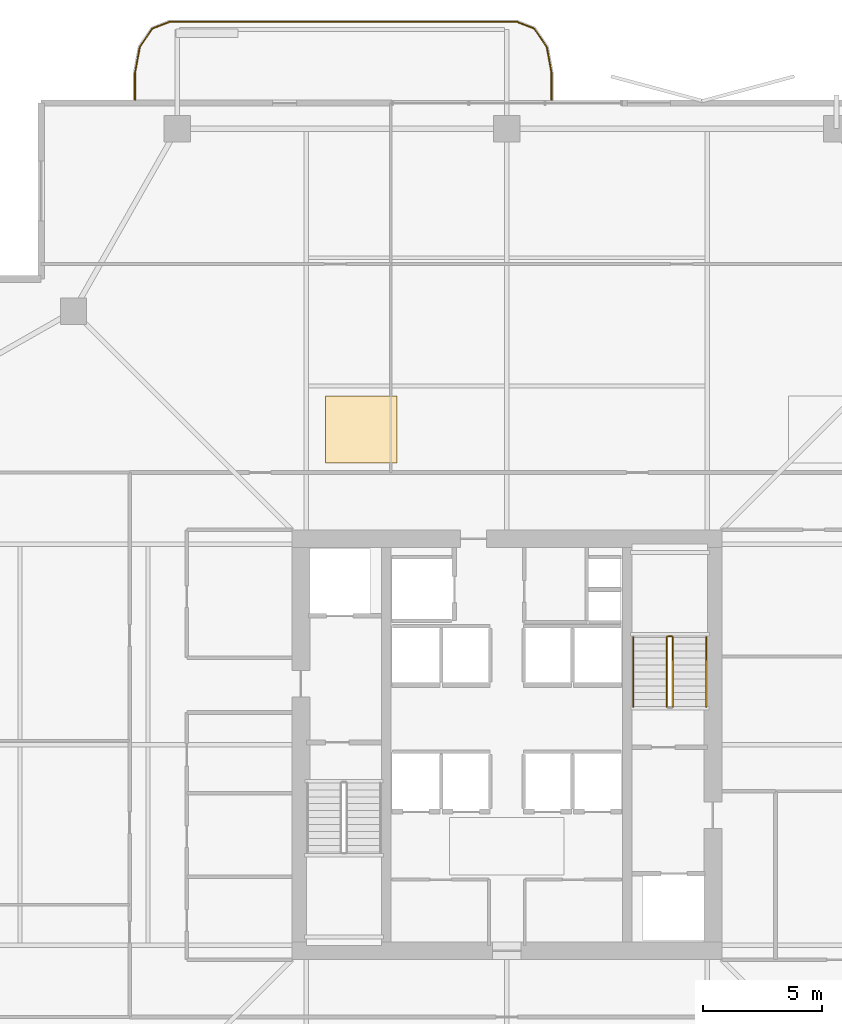
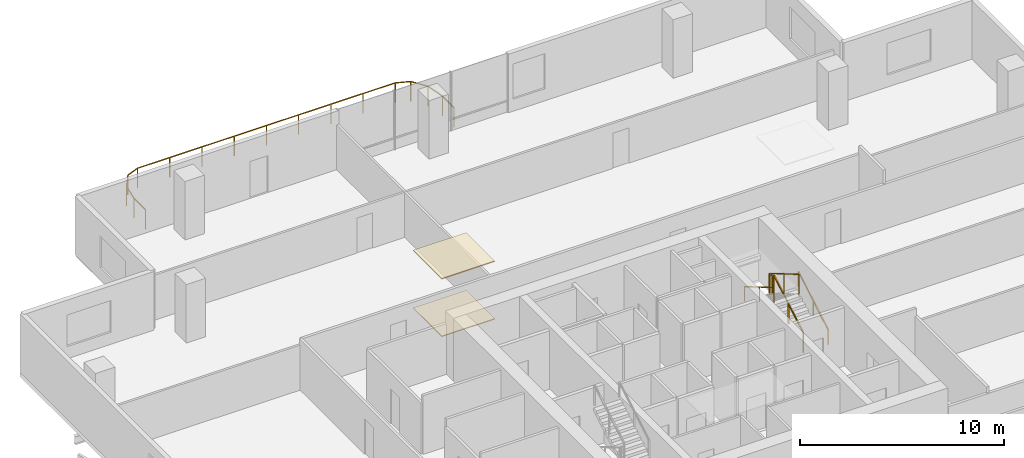
# One storey, part 23 of 24: 6 railings, 2 coverings.
"""IFC4 building model written with IfcOpenShell, lengths in metres."""

from ifc_helpers import new_model, si_unit, direction, frame, origin, origin_2d, place, context, subcontext, project, spatial, polyline, rectangle, outline, extrude, material, layer, layer_set, type_object, element, save


model = new_model("IFC4")

# Units and contexts
model_context = context("Model", 3, precision=1e-05, world=origin(), true_north=direction((0.0, 1.0)))
body_context = subcontext(model_context, "Body", "Model", "MODEL_VIEW")
ifc_project = project(units=[si_unit("LENGTHUNIT", "METRE"), si_unit("AREAUNIT", "SQUARE_METRE"), si_unit("VOLUMEUNIT", "CUBIC_METRE"), si_unit("PLANEANGLEUNIT", "RADIAN"), si_unit("MASSUNIT", "GRAM", prefix="KILO")], contexts=[model_context])

# Site, building, storey
site_placement = place(None, origin())
site = spatial("IfcSite", under=ifc_project, at=site_placement, CompositionType="ELEMENT")
building_placement = place(site_placement, origin())
building = spatial("IfcBuilding", under=site, at=building_placement, Name="Belovzor Exchange Tower", CompositionType="ELEMENT")
storey_placement = place(building_placement, frame((0.0, 0.0, 237.449951171875)))
storey = spatial("IfcBuildingStorey", under=building, at=storey_placement, Name="L59", CompositionType="ELEMENT", Elevation=237.449951171875)

# Railings
ifc_material_1 = material(Name="Stainless Steel Grade 304", Category="steel")
railing_type_1 = type_object("IfcRailingType", Name="Brushed Stainless Steel Stair Handrail 900", PredefinedType="HANDRAIL", material=ifc_material_1)
railing_1_placement = place(storey_placement, frame((37.14990234375, 30.39990234375, 0.17041015625)))
element("IfcRailing", 1, at=railing_1_placement, inside=storey, type_object=railing_type_1, Name="L59 ST-2 stair handrail 1", PredefinedType="HANDRAIL", context=body_context, shape_type="SweptSolid", body=[
    extrude(rectangle(XDim=0.048095703125, YDim=0.048095703125, at=origin_2d()), frame((0.0, 0.0, 0.8759765625), z_axis=(0.0, 0.862113265706, 0.506715617574), x_axis=(-1.0, 0.0, 0.0)), (0.0, 0.0, 1.0), 3.364013671875),
    extrude(rectangle(XDim=0.0419921875, YDim=0.0419921875, at=origin_2d()), origin(), (0.0, 0.0, 1.0), 0.851806640625),
    extrude(rectangle(XDim=0.0419921875, YDim=0.0419921875, at=origin_2d()), frame((0.0, 1.4501953125, 0.852294921875)), (0.0, 0.0, 1.0), 0.851806640625),
    extrude(rectangle(XDim=0.0419921875, YDim=0.0419921875, at=origin_2d()), frame((0.0, 2.900146484375, 1.70458984375)), (0.0, 0.0, 1.0), 0.851806640625),
])
railing_2_placement = place(storey_placement, frame((34.10009765625, 33.300048828125, 2.04541015625)))
element("IfcRailing", 2, at=railing_2_placement, inside=storey, type_object=railing_type_1, Name="L59 ST-2 stair handrail 2", PredefinedType="HANDRAIL", context=body_context, shape_type="SweptSolid", body=[
    extrude(rectangle(XDim=0.048095703125, YDim=0.048095703125, at=origin_2d()), frame((0.0, 0.0, 0.8759765625), z_axis=(0.0, -0.862113265706, 0.506715617574), x_axis=(1.0, 0.0, 0.0)), (0.0, 0.0, 1.0), 3.364013671875),
    extrude(rectangle(XDim=0.0419921875, YDim=0.0419921875, at=origin_2d()), origin(), (0.0, 0.0, 1.0), 0.851806640625),
    extrude(rectangle(XDim=0.0419921875, YDim=0.0419921875, at=origin_2d()), frame((0.0, -1.4501953125, 0.852294921875)), (0.0, 0.0, 1.0), 0.851806640625),
    extrude(rectangle(XDim=0.0419921875, YDim=0.0419921875, at=origin_2d()), frame((0.0, -2.900146484375, 1.70458984375)), (0.0, 0.0, 1.0), 0.851806640625),
])
ifc_material_2 = material(Name="Stainless Steel and Laminated Safety Glass", Category="steel")
railing_type_2 = type_object("IfcRailingType", Name="Laminated Glass & Stainless Steel Balcony Balustrade 1200", PredefinedType="BALUSTRADE", material=ifc_material_2)
railing_3_placement = place(storey_placement, frame((30.669921875, 55.81005859375, 0.0)))
element("IfcRailing", 3, at=railing_3_placement, inside=storey, type_object=railing_type_2, Name="GR-1 Balcony Balustrade L59 North", PredefinedType="BALUSTRADE", context=body_context, shape_type="SweptSolid", body=[
    extrude(rectangle(XDim=0.048095703125, YDim=0.048095703125, at=origin_2d()), frame((0.0, 0.0, 1.17578125), z_axis=(0.0, 1.0, 0.0), x_axis=(-1.0, 0.0, 0.0)), (0.0, 0.0, 1.0), 1.133056640625),
    extrude(rectangle(XDim=0.048095703125, YDim=0.048095703125, at=origin_2d()), frame((0.0, 1.133056640625, 1.17578125), z_axis=(-0.180122719713, 0.983644145941, 0.0), x_axis=(-0.983644145941, -0.180122719713, 0.0)), (0.0, 0.0, 1.0), 1.09375),
    extrude(rectangle(XDim=0.048095703125, YDim=0.048095703125, at=origin_2d()), frame((-0.197021484375, 2.208984375, 1.17578125), z_axis=(-0.562768145367, 0.826614792125, 0.0), x_axis=(-0.826614792125, -0.562768145367, 0.0)), (0.0, 0.0, 1.0), 0.9326171875),
    extrude(rectangle(XDim=0.048095703125, YDim=0.048095703125, at=origin_2d()), frame((-0.721923828125, 2.97998046875, 1.17578125), z_axis=(-0.930766990125, 0.365612923861, 0.0), x_axis=(-0.365612923861, -0.930766990125, 0.0)), (0.0, 0.0, 1.0), 0.765869140625),
    extrude(rectangle(XDim=0.048095703125, YDim=0.048095703125, at=origin_2d()), frame((-1.434814453125, 3.260009765625, 1.17578125), z_axis=(-1.0, 0.0, 0.0), x_axis=(0.0, -1.0, 0.0)), (0.0, 0.0, 1.0), 14.570068359375),
    extrude(rectangle(XDim=0.048095703125, YDim=0.048095703125, at=origin_2d()), frame((-16.0048828125, 3.260009765625, 1.17578125), z_axis=(-0.930809580156, -0.365504480807, 0.0), x_axis=(0.365504480807, -0.930809580156, 0.0)), (0.0, 0.0, 1.0), 0.76611328125),
    extrude(rectangle(XDim=0.048095703125, YDim=0.048095703125, at=origin_2d()), frame((-16.718017578125, 2.97998046875, 1.17578125), z_axis=(-0.562768145367, -0.826614792125, 0.0), x_axis=(0.826614792125, -0.562768145367, 0.0)), (0.0, 0.0, 1.0), 0.9326171875),
    extrude(rectangle(XDim=0.048095703125, YDim=0.048095703125, at=origin_2d()), frame((-17.242919921875, 2.208984375, 1.17578125), z_axis=(-0.180122719713, -0.983644145941, 0.0), x_axis=(0.983644145941, -0.180122719713, 0.0)), (0.0, 0.0, 1.0), 1.09375),
    extrude(rectangle(XDim=0.048095703125, YDim=0.048095703125, at=origin_2d()), frame((-17.43994140625, 1.133056640625, 1.17578125), z_axis=(0.0, -1.0, 0.0), x_axis=(1.0, 0.0, 0.0)), (0.0, 0.0, 1.0), 1.133056640625),
    extrude(rectangle(XDim=0.0419921875, YDim=0.0419921875, at=origin_2d()), origin(), (0.0, 0.0, 1.0), 1.15185546875),
    extrude(rectangle(XDim=0.0419921875, YDim=0.0419921875, at=origin_2d()), frame((0.0, 1.133056640625, 0.0)), (0.0, 0.0, 1.0), 1.15185546875),
    extrude(rectangle(XDim=0.0419921875, YDim=0.0419921875, at=origin_2d()), frame((-0.197021484375, 2.208984375, 0.0)), (0.0, 0.0, 1.0), 1.15185546875),
    extrude(rectangle(XDim=0.0419921875, YDim=0.0419921875, at=origin_2d()), frame((-0.721923828125, 2.97998046875, 0.0)), (0.0, 0.0, 1.0), 1.15185546875),
    extrude(rectangle(XDim=0.0419921875, YDim=0.0419921875, at=origin_2d()), frame((-1.434814453125, 3.260009765625, 0.0)), (0.0, 0.0, 1.0), 1.15185546875),
    extrude(rectangle(XDim=0.0419921875, YDim=0.0419921875, at=origin_2d()), frame((-3.256103515625, 3.260009765625, 0.0)), (0.0, 0.0, 1.0), 1.15185546875),
    extrude(rectangle(XDim=0.0419921875, YDim=0.0419921875, at=origin_2d()), frame((-5.077392578125, 3.260009765625, 0.0)), (0.0, 0.0, 1.0), 1.15185546875),
    extrude(rectangle(XDim=0.0419921875, YDim=0.0419921875, at=origin_2d()), frame((-6.898681640625, 3.260009765625, 0.0)), (0.0, 0.0, 1.0), 1.15185546875),
    extrude(rectangle(XDim=0.0419921875, YDim=0.0419921875, at=origin_2d()), frame((-8.7197265625, 3.260009765625, 0.0)), (0.0, 0.0, 1.0), 1.15185546875),
    extrude(rectangle(XDim=0.0419921875, YDim=0.0419921875, at=origin_2d()), frame((-10.541015625, 3.260009765625, 0.0)), (0.0, 0.0, 1.0), 1.15185546875),
    extrude(rectangle(XDim=0.0419921875, YDim=0.0419921875, at=origin_2d()), frame((-12.3623046875, 3.260009765625, 0.0)), (0.0, 0.0, 1.0), 1.15185546875),
    extrude(rectangle(XDim=0.0419921875, YDim=0.0419921875, at=origin_2d()), frame((-14.18359375, 3.260009765625, 0.0)), (0.0, 0.0, 1.0), 1.15185546875),
    extrude(rectangle(XDim=0.0419921875, YDim=0.0419921875, at=origin_2d()), frame((-16.0048828125, 3.260009765625, 0.0)), (0.0, 0.0, 1.0), 1.15185546875),
    extrude(rectangle(XDim=0.0419921875, YDim=0.0419921875, at=origin_2d()), frame((-16.718017578125, 2.97998046875, 0.0)), (0.0, 0.0, 1.0), 1.15185546875),
    extrude(rectangle(XDim=0.0419921875, YDim=0.0419921875, at=origin_2d()), frame((-17.242919921875, 2.208984375, 0.0)), (0.0, 0.0, 1.0), 1.15185546875),
    extrude(rectangle(XDim=0.0419921875, YDim=0.0419921875, at=origin_2d()), frame((-17.43994140625, 1.133056640625, 0.0)), (0.0, 0.0, 1.0), 1.15185546875),
    extrude(rectangle(XDim=0.0419921875, YDim=0.0419921875, at=origin_2d()), frame((-17.43994140625, 0.0, 0.0)), (0.0, 0.0, 1.0), 1.15185546875),
])
ifc_material_3 = material(Name="Steel S355", Category="steel")
railing_type_3 = type_object("IfcRailingType", Name="Painted Steel Stairwell Guardrail 1200", PredefinedType="GUARDRAIL", material=ifc_material_3)
railing_4_placement = place(storey_placement, frame((35.75, 30.39990234375, 0.17041015625)))
element("IfcRailing", 4, at=railing_4_placement, inside=storey, type_object=railing_type_3, Name="L59 ST-2 stair guard 1", PredefinedType="GUARDRAIL", context=body_context, shape_type="SweptSolid", body=[
    extrude(rectangle(XDim=0.048095703125, YDim=0.048095703125, at=origin_2d()), frame((0.0, 0.0, 1.17578125), z_axis=(0.0, 0.862113265706, 0.506715617574), x_axis=(-1.0, 0.0, 0.0)), (0.0, 0.0, 1.0), 3.364013671875),
    extrude(rectangle(XDim=0.0419921875, YDim=0.0419921875, at=origin_2d()), origin(), (0.0, 0.0, 1.0), 1.15185546875),
    extrude(rectangle(XDim=0.0419921875, YDim=0.0419921875, at=origin_2d()), frame((0.0, 1.4501953125, 0.852294921875)), (0.0, 0.0, 1.0), 1.15185546875),
    extrude(rectangle(XDim=0.0419921875, YDim=0.0419921875, at=origin_2d()), frame((0.0, 2.900146484375, 1.70458984375)), (0.0, 0.0, 1.0), 1.15185546875),
])
railing_5_placement = place(storey_placement, frame((35.699951171875, 33.35009765625, 1.875)))
element("IfcRailing", 5, at=railing_5_placement, inside=storey, type_object=railing_type_3, Name="L59 ST-2 stair guard 2", PredefinedType="GUARDRAIL", context=body_context, shape_type="SweptSolid", body=[
    extrude(rectangle(XDim=0.048095703125, YDim=0.048095703125, at=origin_2d()), frame((0.0, 0.0, 1.17578125), z_axis=(-1.0, 0.0, 0.0), x_axis=(0.0, -1.0, 0.0)), (0.0, 0.0, 1.0), 0.14990234375),
    extrude(rectangle(XDim=0.0419921875, YDim=0.0419921875, at=origin_2d()), origin(), (0.0, 0.0, 1.0), 1.15185546875),
    extrude(rectangle(XDim=0.0419921875, YDim=0.0419921875, at=origin_2d()), frame((-0.14990234375, 0.0, 0.0)), (0.0, 0.0, 1.0), 1.15185546875),
])
railing_6_placement = place(storey_placement, frame((35.5, 33.300048828125, 2.04541015625)))
element("IfcRailing", 6, at=railing_6_placement, inside=storey, type_object=railing_type_3, Name="L59 ST-2 stair guard 3", PredefinedType="GUARDRAIL", context=body_context, shape_type="SweptSolid", body=[
    extrude(rectangle(XDim=0.048095703125, YDim=0.048095703125, at=origin_2d()), frame((0.0, 0.0, 1.17578125), z_axis=(0.0, -0.862113265706, 0.506715617574), x_axis=(1.0, 0.0, 0.0)), (0.0, 0.0, 1.0), 3.364013671875),
    extrude(rectangle(XDim=0.0419921875, YDim=0.0419921875, at=origin_2d()), origin(), (0.0, 0.0, 1.0), 1.15185546875),
    extrude(rectangle(XDim=0.0419921875, YDim=0.0419921875, at=origin_2d()), frame((0.0, -1.4501953125, 0.852294921875)), (0.0, 0.0, 1.0), 1.15185546875),
    extrude(rectangle(XDim=0.0419921875, YDim=0.0419921875, at=origin_2d()), frame((0.0, -2.900146484375, 1.70458984375)), (0.0, 0.0, 1.0), 1.15185546875),
])

# Coverings
ifc_material_4 = material(Name="Perforated Powder-Coated Aluminium", Category="aluminium")
ifc_layer_1 = layer(ifc_material_4, 0.06005859375)
ifc_layer_set_1 = layer_set([ifc_layer_1], Name="Perforated Powder-Coated Aluminium")
covering_type_1 = type_object("IfcCoveringType", Name="Perforated Acoustic Metal Tile Suspended Ceiling 60", PredefinedType="CEILING", material=ifc_layer_set_1)
covering_1_placement = place(storey_placement, frame((0.0, 0.0, 3.43994140625)))
element("IfcCovering", 7, at=covering_1_placement, inside=storey, type_object=covering_type_1, Name="CLG-AC60 Suspended Ceiling CLG-L59-Z3", PredefinedType="CEILING", context=body_context, shape_type="SweptSolid", body=[
    extrude(outline(polyline([(21.199951171875, 40.60009765625), (24.199951171875, 40.60009765625), (24.199951171875, 43.39990234375), (21.199951171875, 43.39990234375), (21.199951171875, 40.60009765625)])), origin(), (0.0, 0.0, 1.0), 0.06005859375),
])
ifc_material_5 = material(Name="Polished Natural Granite Tile", Category="masonry")
ifc_layer_2 = layer(ifc_material_5, 0.050048828125)
ifc_layer_set_2 = layer_set([ifc_layer_2], Name="Polished Natural Granite Tile")
covering_type_2 = type_object("IfcCoveringType", Name="Polished Karelian Granite & Raised Access Floor Finish 50", PredefinedType="FLOORING", material=ifc_layer_set_2)
covering_2_placement = place(storey_placement, origin())
element("IfcCovering", 8, at=covering_2_placement, inside=storey, type_object=covering_type_2, Name="FLR-GR50 Floor Finish FLR-L59-Z3", PredefinedType="FLOORING", context=body_context, shape_type="SweptSolid", body=[
    extrude(outline(polyline([(21.199951171875, 40.60009765625), (24.199951171875, 40.60009765625), (24.199951171875, 43.39990234375), (21.199951171875, 43.39990234375), (21.199951171875, 40.60009765625)])), origin(), (0.0, 0.0, 1.0), 0.050048828125),
])

save(model, "model.ifc")
